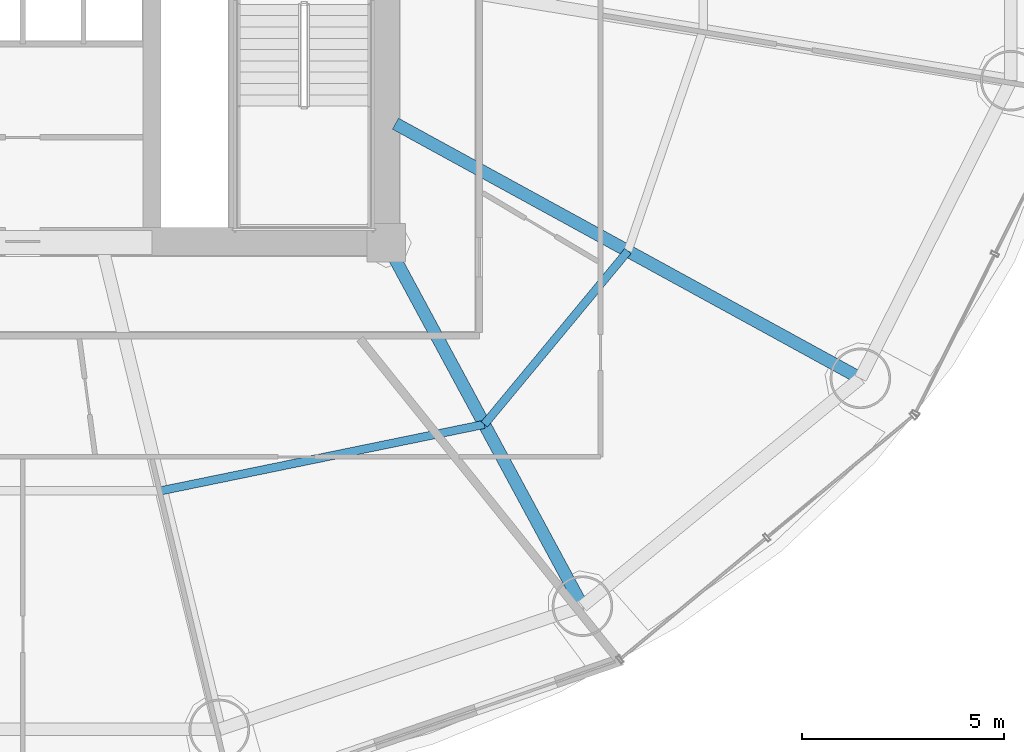
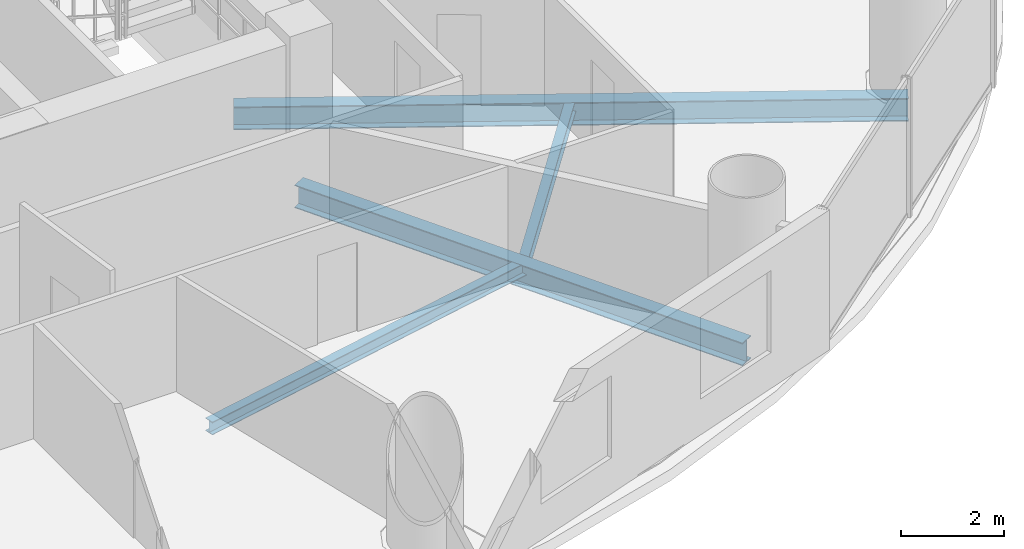
# One storey, part 12 of 29: 4 beams.
"""IFC4 building model written with IfcOpenShell, lengths in metres."""

import ifcopenshell
import ifcopenshell.guid

model = None  # the IFC model being written
_history = None  # IfcOwnerHistory: only IFC2X3 demands one
_inside = {}  # id of a spatial element -> (the spatial element, [elements in it])
_under = {}  # id of a project, library or spatial element -> (it, [spatial elements below it])
_declared = {}  # id of a project -> (the project, [libraries it declares])
_typed = {}  # id of a type object -> (the type object, [elements of that type])
_made_of = {}  # id of a material, layer set ... -> (it, [elements and type objects made of it])


def new_model(schema):
    """Start an empty IFC model of exactly this schema.

    Asked for "IFC4X3", IfcOpenShell would pick the latest addendum, in which some entities
    have other attributes; the version numbers below select the first issue.
    IFC2X3 requires an IfcOwnerHistory on every rooted entity: one is made here for all.
    """
    global model, _history
    if schema == "IFC4X3":
        model = ifcopenshell.file(schema_version=(4, 3, 0, 0))
    else:
        model = ifcopenshell.file(schema=schema)
    _inside.clear()
    _under.clear()
    _declared.clear()
    _typed.clear()
    _made_of.clear()
    _history = None
    if model.schema == "IFC2X3":
        org = make("IfcOrganization", Name="unknown")
        user = make(
            "IfcPersonAndOrganization",
            ThePerson=make("IfcPerson", FamilyName="unknown"),
            TheOrganization=org,
        )
        app = make(
            "IfcApplication",
            ApplicationDeveloper=org,
            Version="unknown",
            ApplicationFullName="unknown",
            ApplicationIdentifier="unknown",
        )
        _history = make(
            "IfcOwnerHistory",
            OwningUser=user,
            OwningApplication=app,
            ChangeAction="ADDED",
            CreationDate=0,
        )
    return model


def make(cls, **values):
    """One entity of the class cls with the attributes given. An attribute that is None is left unset."""
    return model.create_entity(
        cls, **{name: value for name, value in values.items() if value is not None}
    )


def rooted(cls, **values):
    """An entity with a GlobalId (a new one), such as an element, a storey or a relation."""
    return make(cls, GlobalId=ifcopenshell.guid.new(), OwnerHistory=_history, **values)


def si_unit(unit_type, name, prefix=None):
    """IfcSIUnit, for example si_unit("LENGTHUNIT", "METRE", prefix="MILLI")."""
    return make("IfcSIUnit", UnitType=unit_type, Prefix=prefix, Name=name)


def assignment(units):
    """IfcUnitAssignment: the units of a project."""
    return None if units is None else make("IfcUnitAssignment", Units=units)


def point(xyz):
    """IfcCartesianPoint."""
    return None if xyz is None else make("IfcCartesianPoint", Coordinates=xyz)


def direction(xyz):
    """IfcDirection."""
    return None if xyz is None else make("IfcDirection", DirectionRatios=xyz)


def frame(location, z_axis=None, x_axis=None):
    """IfcAxis2Placement3D, a coordinate frame: its origin and axes. An axis left out is left unset."""
    return make(
        "IfcAxis2Placement3D",
        Location=point(location),
        Axis=direction(z_axis),
        RefDirection=direction(x_axis),
    )


def frame_2d(location, x_axis=None):
    """IfcAxis2Placement2D, a coordinate frame in the plane: its origin and x axis."""
    return make(
        "IfcAxis2Placement2D", Location=point(location), RefDirection=direction(x_axis)
    )


def origin():
    """The frame at (0, 0, 0) with its axes left unset."""
    return frame((0.0, 0.0, 0.0))


def origin_2d():
    """The frame at (0, 0) in the plane with its x axis left unset."""
    return frame_2d((0.0, 0.0))


def place(relative_to, where):
    """IfcLocalPlacement: puts the frame where relative to a parent placement (None: the world)."""
    return make(
        "IfcLocalPlacement", PlacementRelTo=relative_to, RelativePlacement=where
    )


def context(
    kind, dimensions, precision=None, world=None, true_north=None, identifier=None
):
    """IfcGeometricRepresentationContext, for example the 3D "Model" context."""
    return make(
        "IfcGeometricRepresentationContext",
        ContextIdentifier=identifier,
        ContextType=kind,
        CoordinateSpaceDimension=dimensions,
        Precision=precision,
        WorldCoordinateSystem=world,
        TrueNorth=true_north,
    )


def subcontext(parent, identifier, kind, view, scale=None):
    """IfcGeometricRepresentationSubContext, for example "Body" below "Model"."""
    return make(
        "IfcGeometricRepresentationSubContext",
        ContextIdentifier=identifier,
        ContextType=kind,
        ParentContext=parent,
        TargetScale=scale,
        TargetView=view,
    )


def project(units=None, contexts=None):
    """IfcProject with its units and contexts."""
    return rooted(
        "IfcProject",
        Name="project",
        RepresentationContexts=contexts,
        UnitsInContext=assignment(units),
    )


def spatial(cls, under=None, at=None, **own):
    """A site, building, storey or space (cls), placed at a placement, below another one or the project."""
    s = rooted(cls, ObjectPlacement=at, **own)
    if under is not None:
        _under.setdefault(under.id(), (under, []))[1].append(s)
    return s


def profile(cls, at=None, kind="AREA", **sizes):
    """A parametric profile (cls). Its sizes go by their IFC names, for example OverallWidth=200.0."""
    return make(cls, ProfileType=kind, Position=at, **sizes)


def i_section(**sizes):
    """IfcIShapeProfileDef."""
    return profile("IfcIShapeProfileDef", **sizes)


def extrude(swept, where, along, depth):
    """IfcExtrudedAreaSolid: the profile swept, set in the frame where, extruded along a direction by depth."""
    return make(
        "IfcExtrudedAreaSolid",
        SweptArea=swept,
        Position=where,
        ExtrudedDirection=direction(along),
        Depth=depth,
    )


def shape(context_of_items, identifier, shape_type, items):
    """IfcShapeRepresentation: the items that make up one representation, for example the "Body"."""
    return make(
        "IfcShapeRepresentation",
        ContextOfItems=context_of_items,
        RepresentationIdentifier=identifier,
        RepresentationType=shape_type,
        Items=items,
    )


def material(Name=None, Category=None):
    """IfcMaterial."""
    return make("IfcMaterial", Name=Name, Category=Category)


def material_profile(
    of_material, cross_section, Name=None, Category=None, Priority=None
):
    """IfcMaterialProfile: a cross section and its material."""
    return make(
        "IfcMaterialProfile",
        Name=Name,
        Material=of_material,
        Profile=cross_section,
        Priority=Priority,
        Category=Category,
    )


def profile_set(profiles, Name=None, composite=None):
    """IfcMaterialProfileSet."""
    return make(
        "IfcMaterialProfileSet",
        Name=Name,
        MaterialProfiles=profiles,
        CompositeProfile=composite,
    )


def made_of(thing, what):
    """Note that an element or type object is made of a material, layer set ...; save() writes the relation."""
    if what is not None:
        _made_of.setdefault(what.id(), (what, []))[1].append(thing)
    return thing


def type_object(cls, material=None, **own):
    """A type object (cls), such as IfcWallType, which elements share."""
    return made_of(rooted(cls, **own), material)


def element(
    cls,
    number,
    at=None,
    inside=None,
    cuts=None,
    type_object=None,
    material=None,
    context=None,
    identifier="Body",
    shape_type=None,
    held_by="IfcProductDefinitionShape",
    body=None,
    shapes=None,
    **own,
):
    """One element of the class cls, such as IfcWall. Its Tag is "e" and its number.

    at: its placement. inside: the storey or other place that contains it. cuts: it is an
    opening in that element (IfcRelVoidsElement). A single representation is given by context,
    identifier, shape_type and body (its items); several are given by shapes. held_by: the class
    of the entity that holds the representations. save() writes the other relations.
    """
    e = rooted(cls, Tag="e%d" % number, ObjectPlacement=at, **own)
    if body is not None:
        shapes = [shape(context, identifier, shape_type, body)]
    if shapes is not None:
        e.Representation = make(held_by, Representations=shapes)
    if inside is not None:
        _inside.setdefault(inside.id(), (inside, []))[1].append(e)
    if cuts is not None:
        rooted(
            "IfcRelVoidsElement", RelatingBuildingElement=cuts, RelatedOpeningElement=e
        )
    if type_object is not None:
        _typed.setdefault(type_object.id(), (type_object, []))[1].append(e)
    return made_of(e, material)


def aggregate(whole, parts):
    """IfcRelAggregates: a whole, such as a stair, and the parts it consists of."""
    return rooted("IfcRelAggregates", RelatingObject=whole, RelatedObjects=parts)


def save(model, path):
    """Write the relations noted so far, then the file.

    IfcRelAggregates (storeys below a building ...), IfcRelContainedInSpatialStructure (elements
    in a storey), IfcRelDefinesByType, IfcRelAssociatesMaterial and IfcRelDeclares: one each for
    every whole, place, type object, material and project.
    """
    for whole, parts in _under.values():
        aggregate(whole, parts)
    for where, things in _inside.values():
        rooted(
            "IfcRelContainedInSpatialStructure",
            RelatedElements=things,
            RelatingStructure=where,
        )
    for kind, things in _typed.values():
        rooted("IfcRelDefinesByType", RelatedObjects=things, RelatingType=kind)
    for what, things in _made_of.values():
        rooted("IfcRelAssociatesMaterial", RelatedObjects=things, RelatingMaterial=what)
    for by, libraries in _declared.values():
        rooted("IfcRelDeclares", RelatingContext=by, RelatedDefinitions=libraries)
    model.write(path)


model = new_model("IFC4")

# Units and contexts
model_context = context("Model", 3, precision=1e-05, world=origin(), true_north=direction((-0.2419218956, 0.970295726276)))
body_context = subcontext(model_context, "Body", "Model", "MODEL_VIEW")
ifc_project = project(units=[si_unit("LENGTHUNIT", "METRE"), si_unit("AREAUNIT", "SQUARE_METRE"), si_unit("VOLUMEUNIT", "CUBIC_METRE"), si_unit("PLANEANGLEUNIT", "RADIAN"), si_unit("MASSUNIT", "GRAM", prefix="KILO")], contexts=[model_context])

# Site, building, storey
site_placement = place(None, origin())
site = spatial("IfcSite", under=ifc_project, at=site_placement, CompositionType="ELEMENT")
building_placement = place(site_placement, origin())
building = spatial("IfcBuilding", under=site, at=building_placement, Name="Cobrevalo Terracotta Tower", CompositionType="ELEMENT")
storey_placement = place(building_placement, frame((0.0, 0.0, 123.0)))
storey = spatial("IfcBuildingStorey", under=building, at=storey_placement, Name="L32", CompositionType="ELEMENT", Elevation=123.0)

# Beams
ifc_material = material(Name="Steel S355", Category="steel")
ifc_material_profile_1 = material_profile(ifc_material, i_section(OverallWidth=0.31201171875, OverallDepth=0.54296875, WebThickness=0.0126953125, FlangeThickness=0.020263671875, at=origin_2d()), Name="W 530x150")
ifc_profile_set_1 = profile_set([ifc_material_profile_1], Name="Steel S355")
beam_type_1 = type_object("IfcBeamType", Name="Structural Beam W 530x150 (Steel S355)", PredefinedType="BEAM", material=ifc_profile_set_1)
beam_1_placement = place(storey_placement, frame((51.861572265625, 9.79638671875, -0.54638671875), z_axis=(-0.475118249298, 0.879921956303, 0.0), x_axis=(-0.879921956303, -0.475118249298, 0.0)))
element("IfcBeam", 1, at=beam_1_placement, inside=storey, type_object=beam_type_1, Name="L32 radial floor girder 14", PredefinedType="BEAM", context=body_context, shape_type="SweptSolid", body=[
    extrude(i_section(OverallWidth=0.31201171875, OverallDepth=0.54296875, WebThickness=0.0126953125, FlangeThickness=0.020263671875, at=origin_2d()), origin(), (0.0, 0.0, 1.0), 10.232421875),
])
beam_2_placement = place(storey_placement, frame((58.7451171875, 15.4384765625, -0.54638671875), z_axis=(-0.877072765004, 0.480357538599, 0.0), x_axis=(-0.480357538599, -0.877072765004, 0.0)))
element("IfcBeam", 2, at=beam_2_placement, inside=storey, type_object=beam_type_1, Name="L32 radial floor girder 15", PredefinedType="BEAM", context=body_context, shape_type="SweptSolid", body=[
    extrude(i_section(OverallWidth=0.31201171875, OverallDepth=0.54296875, WebThickness=0.0126953125, FlangeThickness=0.020263671875, at=origin_2d()), origin(), (0.0, 0.0, 1.0), 13.129150390625),
])
ifc_material_profile_2 = material_profile(ifc_material, i_section(OverallWidth=0.2041015625, OverallDepth=0.305908203125, WebThickness=0.008544921875, FlangeThickness=0.0146484375, at=origin_2d()), Name="W 310x67")
ifc_profile_set_2 = profile_set([ifc_material_profile_2], Name="Steel S355")
beam_type_2 = type_object("IfcBeamType", Name="Structural Joist W 310x67 (Steel S355)", PredefinedType="JOIST", material=ifc_profile_set_2)
beam_3_placement = place(storey_placement, frame((41.432373046875, 12.656494140625, -0.427978515625), z_axis=(0.979574469315, 0.201081722357, 0.0), x_axis=(-0.201081722357, 0.979574469315, 0.0)))
element("IfcBeam", 3, at=beam_3_placement, inside=storey, type_object=beam_type_2, Name="L32 circumferential secondary floor joist 13", PredefinedType="JOIST", context=body_context, shape_type="SweptSolid", body=[
    extrude(i_section(OverallWidth=0.2041015625, OverallDepth=0.305908203125, WebThickness=0.008544921875, FlangeThickness=0.0146484375, at=origin_2d()), origin(), (0.0, 0.0, 1.0), 8.1650390625),
])
beam_4_placement = place(storey_placement, frame((49.4306640625, 14.29833984375, -0.427978515625), z_axis=(0.6379592588, 0.77007011636, 0.0), x_axis=(-0.77007011636, 0.6379592588, 0.0)))
element("IfcBeam", 4, at=beam_4_placement, inside=storey, type_object=beam_type_2, Name="L32 circumferential secondary floor joist 14", PredefinedType="JOIST", context=body_context, shape_type="SweptSolid", body=[
    extrude(i_section(OverallWidth=0.2041015625, OverallDepth=0.305908203125, WebThickness=0.008544921875, FlangeThickness=0.0146484375, at=origin_2d()), origin(), (0.0, 0.0, 1.0), 5.575439453125),
])

save(model, "model.ifc")
